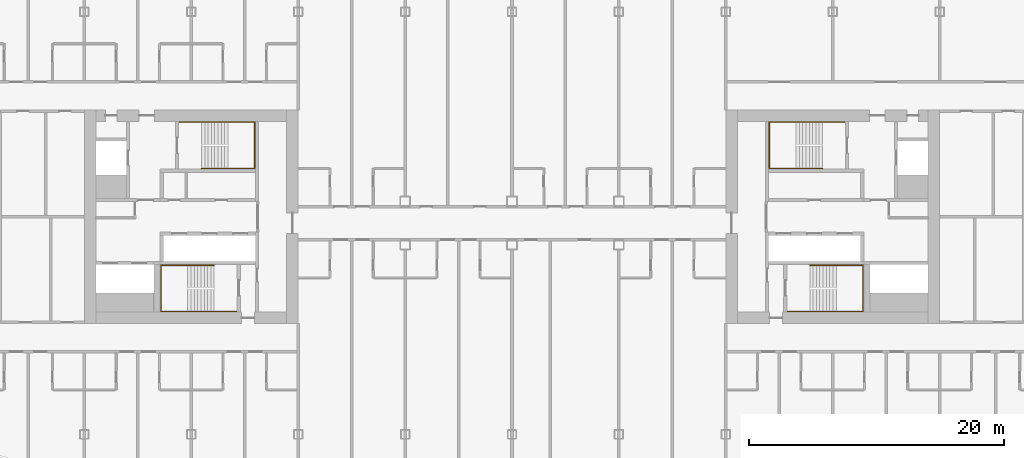
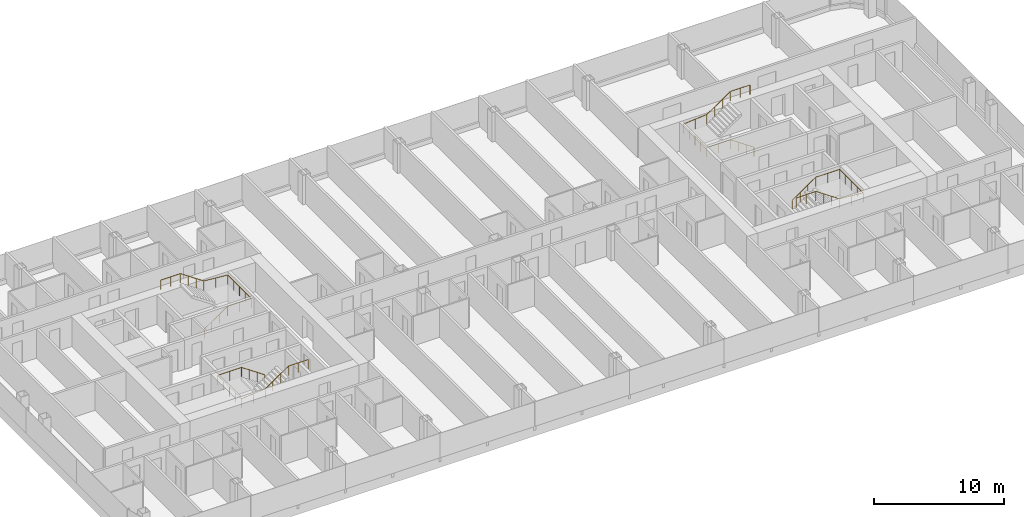
# One storey, part 27 of 27: 4 railings.
"""IFC4 building model written with IfcOpenShell, lengths in metres."""

from ifc_helpers import new_model, si_unit, direction, frame, origin, origin_2d, place, context, subcontext, project, spatial, circle, extrude, material, type_object, element, save


model = new_model("IFC4")

# Units and contexts
model_context = context("Model", 3, precision=1e-05, world=origin(), true_north=direction((0.0, 1.0)))
body_context = subcontext(model_context, "Body", "Model", "MODEL_VIEW")
ifc_project = project(units=[si_unit("LENGTHUNIT", "METRE"), si_unit("AREAUNIT", "SQUARE_METRE"), si_unit("VOLUMEUNIT", "CUBIC_METRE"), si_unit("PLANEANGLEUNIT", "RADIAN"), si_unit("MASSUNIT", "GRAM", prefix="KILO")], contexts=[model_context])

# Site, building, storey
site_placement = place(None, origin())
site = spatial("IfcSite", under=ifc_project, at=site_placement, CompositionType="ELEMENT")
building_placement = place(site_placement, origin())
building = spatial("IfcBuilding", under=site, at=building_placement, Name="Hakoniwa Tower and Hamabe Station Hall", CompositionType="ELEMENT")
storey_placement = place(building_placement, frame((0.0, 0.0, 166.199951171875)))
storey = spatial("IfcBuildingStorey", under=building, at=storey_placement, Name="L47", CompositionType="ELEMENT", Elevation=166.199951171875)

# Railings
ifc_material = material(Name="Stainless steel SUS304", Category="steel")
railing_type = type_object("IfcRailingType", Name="STAIR HANDRAIL 900", PredefinedType="HANDRAIL", material=ifc_material)
railing_1_placement = place(storey_placement, frame((-24.39990234375, 3.81005859375, 0.177734375)))
element("IfcRailing", 1, at=railing_1_placement, inside=storey, type_object=railing_type, Name="Handrail ST-1 L47 1", PredefinedType="HANDRAIL", context=body_context, shape_type="SweptSolid", body=[
    extrude(circle(Radius=0.02392578125, at=origin_2d()), frame((0.0, 0.0, 0.8759765625), z_axis=(0.825433201882, 0.0, 0.564499804456), x_axis=(0.0, 1.0, 0.0)), (0.0, 0.0, 1.0), 2.519775390625),
    extrude(circle(Radius=0.02392578125, at=origin_2d()), frame((2.079833984375, 0.0, 2.29833984375), z_axis=(1.0, 0.0, 0.0), x_axis=(0.0, 1.0, 0.0)), (0.0, 0.0, 1.0), 2.110107421875),
    extrude(circle(Radius=0.02392578125, at=origin_2d()), frame((4.18994140625, 0.0, 2.29833984375), z_axis=(0.0, 1.0, 0.0), x_axis=(-1.0, 0.0, 0.0)), (0.0, 0.0, 1.0), 3.6298828125),
    extrude(circle(Radius=0.02392578125, at=origin_2d()), frame((4.18994140625, 3.6298828125, 2.29833984375), z_axis=(-0.996471417081, 0.0, 0.083932800143), x_axis=(0.0, -1.0, 0.0)), (0.0, 0.0, 1.0), 2.11767578125),
    extrude(circle(Radius=0.02392578125, at=origin_2d()), frame((2.079833984375, 3.6298828125, 2.47607421875), z_axis=(-0.825478349766, 0.0, 0.564433781827), x_axis=(0.0, -1.0, 0.0)), (0.0, 0.0, 1.0), 2.51953125),
    extrude(circle(Radius=0.02392578125, at=origin_2d()), frame((0.0, 3.6298828125, 3.89794921875), z_axis=(-1.0, 0.0, 0.0), x_axis=(0.0, -1.0, 0.0)), (0.0, 0.0, 1.0), 1.739990234375),
    extrude(circle(Radius=0.02099609375, at=origin_2d()), origin(), (0.0, 0.0, 1.0), 0.851806640625),
    extrude(circle(Radius=0.02099609375, at=origin_2d()), frame((0.693359375, 0.0, 0.47412109375)), (0.0, 0.0, 1.0), 0.851806640625),
    extrude(circle(Radius=0.02099609375, at=origin_2d()), frame((1.386474609375, 0.0, 0.9482421875)), (0.0, 0.0, 1.0), 0.851806640625),
    extrude(circle(Radius=0.02099609375, at=origin_2d()), frame((2.079833984375, 0.0, 1.42236328125)), (0.0, 0.0, 1.0), 0.851806640625),
    extrude(circle(Radius=0.02099609375, at=origin_2d()), frame((3.134765625, 0.0, 1.42236328125)), (0.0, 0.0, 1.0), 0.851806640625),
    extrude(circle(Radius=0.02099609375, at=origin_2d()), frame((4.18994140625, 0.0, 1.42236328125)), (0.0, 0.0, 1.0), 0.851806640625),
    extrude(circle(Radius=0.02099609375, at=origin_2d()), frame((4.18994140625, 0.907470703125, 1.42236328125)), (0.0, 0.0, 1.0), 0.851806640625),
    extrude(circle(Radius=0.02099609375, at=origin_2d()), frame((4.18994140625, 1.81494140625, 1.42236328125)), (0.0, 0.0, 1.0), 0.851806640625),
    extrude(circle(Radius=0.02099609375, at=origin_2d()), frame((4.18994140625, 2.722412109375, 1.42236328125)), (0.0, 0.0, 1.0), 0.851806640625),
    extrude(circle(Radius=0.02099609375, at=origin_2d()), frame((4.18994140625, 3.6298828125, 1.42236328125)), (0.0, 0.0, 1.0), 0.851806640625),
    extrude(circle(Radius=0.02099609375, at=origin_2d()), frame((3.134765625, 3.6298828125, 1.51123046875)), (0.0, 0.0, 1.0), 0.851806640625),
    extrude(circle(Radius=0.02099609375, at=origin_2d()), frame((2.079833984375, 3.6298828125, 1.60009765625)), (0.0, 0.0, 1.0), 0.851806640625),
    extrude(circle(Radius=0.02099609375, at=origin_2d()), frame((1.386474609375, 3.6298828125, 2.07421875)), (0.0, 0.0, 1.0), 0.851806640625),
    extrude(circle(Radius=0.02099609375, at=origin_2d()), frame((0.693359375, 3.6298828125, 2.548095703125)), (0.0, 0.0, 1.0), 0.851806640625),
    extrude(circle(Radius=0.02099609375, at=origin_2d()), frame((0.0, 3.6298828125, 3.022216796875)), (0.0, 0.0, 1.0), 0.851806640625),
    extrude(circle(Radius=0.02099609375, at=origin_2d()), frame((-0.8701171875, 3.6298828125, 3.022216796875)), (0.0, 0.0, 1.0), 0.851806640625),
    extrude(circle(Radius=0.02099609375, at=origin_2d()), frame((-1.739990234375, 3.6298828125, 3.022216796875)), (0.0, 0.0, 1.0), 0.851806640625),
])
railing_2_placement = place(storey_placement, frame((-23.39990234375, -3.81005859375, 0.177734375)))
element("IfcRailing", 2, at=railing_2_placement, inside=storey, type_object=railing_type, Name="Handrail ST-2 L47 1", PredefinedType="HANDRAIL", context=body_context, shape_type="SweptSolid", body=[
    extrude(circle(Radius=0.02392578125, at=origin_2d()), frame((0.0, 0.0, 0.8759765625), z_axis=(-0.825464074169, 0.0, 0.564454659168), x_axis=(0.0, -1.0, 0.0)), (0.0, 0.0, 1.0), 2.519775390625),
    extrude(circle(Radius=0.02392578125, at=origin_2d()), frame((-2.080078125, 0.0, 2.29833984375), z_axis=(-1.0, 0.0, 0.0), x_axis=(0.0, -1.0, 0.0)), (0.0, 0.0, 1.0), 2.110107421875),
    extrude(circle(Radius=0.02392578125, at=origin_2d()), frame((-4.190185546875, 0.0, 2.29833984375), z_axis=(0.0, -1.0, 0.0), x_axis=(1.0, 0.0, 0.0)), (0.0, 0.0, 1.0), 3.6298828125),
    extrude(circle(Radius=0.02392578125, at=origin_2d()), frame((-4.190185546875, -3.6298828125, 2.29833984375), z_axis=(0.996471417081, 0.0, 0.083932800143), x_axis=(0.0, 1.0, 0.0)), (0.0, 0.0, 1.0), 2.11767578125),
    extrude(circle(Radius=0.02392578125, at=origin_2d()), frame((-2.080078125, -3.6298828125, 2.47607421875), z_axis=(0.82550921652, 0.0, 0.564388636881), x_axis=(0.0, 1.0, 0.0)), (0.0, 0.0, 1.0), 2.519775390625),
    extrude(circle(Radius=0.02392578125, at=origin_2d()), frame((0.0, -3.6298828125, 3.89794921875), z_axis=(1.0, 0.0, 0.0), x_axis=(0.0, 1.0, 0.0)), (0.0, 0.0, 1.0), 1.739990234375),
    extrude(circle(Radius=0.02099609375, at=origin_2d()), origin(), (0.0, 0.0, 1.0), 0.851806640625),
    extrude(circle(Radius=0.02099609375, at=origin_2d()), frame((-0.693359375, 0.0, 0.47412109375)), (0.0, 0.0, 1.0), 0.851806640625),
    extrude(circle(Radius=0.02099609375, at=origin_2d()), frame((-1.38671875, 0.0, 0.9482421875)), (0.0, 0.0, 1.0), 0.851806640625),
    extrude(circle(Radius=0.02099609375, at=origin_2d()), frame((-2.080078125, 0.0, 1.42236328125)), (0.0, 0.0, 1.0), 0.851806640625),
    extrude(circle(Radius=0.02099609375, at=origin_2d()), frame((-3.13525390625, 0.0, 1.42236328125)), (0.0, 0.0, 1.0), 0.851806640625),
    extrude(circle(Radius=0.02099609375, at=origin_2d()), frame((-4.190185546875, 0.0, 1.42236328125)), (0.0, 0.0, 1.0), 0.851806640625),
    extrude(circle(Radius=0.02099609375, at=origin_2d()), frame((-4.190185546875, -0.907470703125, 1.42236328125)), (0.0, 0.0, 1.0), 0.851806640625),
    extrude(circle(Radius=0.02099609375, at=origin_2d()), frame((-4.190185546875, -1.81494140625, 1.42236328125)), (0.0, 0.0, 1.0), 0.851806640625),
    extrude(circle(Radius=0.02099609375, at=origin_2d()), frame((-4.190185546875, -2.722412109375, 1.42236328125)), (0.0, 0.0, 1.0), 0.851806640625),
    extrude(circle(Radius=0.02099609375, at=origin_2d()), frame((-4.190185546875, -3.6298828125, 1.42236328125)), (0.0, 0.0, 1.0), 0.851806640625),
    extrude(circle(Radius=0.02099609375, at=origin_2d()), frame((-3.13525390625, -3.6298828125, 1.51123046875)), (0.0, 0.0, 1.0), 0.851806640625),
    extrude(circle(Radius=0.02099609375, at=origin_2d()), frame((-2.080078125, -3.6298828125, 1.60009765625)), (0.0, 0.0, 1.0), 0.851806640625),
    extrude(circle(Radius=0.02099609375, at=origin_2d()), frame((-1.38671875, -3.6298828125, 2.07421875)), (0.0, 0.0, 1.0), 0.851806640625),
    extrude(circle(Radius=0.02099609375, at=origin_2d()), frame((-0.693359375, -3.6298828125, 2.548095703125)), (0.0, 0.0, 1.0), 0.851806640625),
    extrude(circle(Radius=0.02099609375, at=origin_2d()), frame((0.0, -3.6298828125, 3.022216796875)), (0.0, 0.0, 1.0), 0.851806640625),
    extrude(circle(Radius=0.02099609375, at=origin_2d()), frame((0.8701171875, -3.6298828125, 3.022216796875)), (0.0, 0.0, 1.0), 0.851806640625),
    extrude(circle(Radius=0.02099609375, at=origin_2d()), frame((1.739990234375, -3.6298828125, 3.022216796875)), (0.0, 0.0, 1.0), 0.851806640625),
])
railing_3_placement = place(storey_placement, frame((24.39990234375, 3.81005859375, 0.177734375)))
element("IfcRailing", 3, at=railing_3_placement, inside=storey, type_object=railing_type, Name="Handrail ST-3 L47 1", PredefinedType="HANDRAIL", context=body_context, shape_type="SweptSolid", body=[
    extrude(circle(Radius=0.02392578125, at=origin_2d()), frame((0.0, 0.0, 0.8759765625), z_axis=(-0.825433201882, 0.0, 0.564499804456), x_axis=(0.0, -1.0, 0.0)), (0.0, 0.0, 1.0), 2.519775390625),
    extrude(circle(Radius=0.02392578125, at=origin_2d()), frame((-2.079833984375, 0.0, 2.29833984375), z_axis=(-1.0, 0.0, 0.0), x_axis=(0.0, -1.0, 0.0)), (0.0, 0.0, 1.0), 2.110107421875),
    extrude(circle(Radius=0.02392578125, at=origin_2d()), frame((-4.18994140625, 0.0, 2.29833984375), z_axis=(0.0, 1.0, 0.0), x_axis=(-1.0, 0.0, 0.0)), (0.0, 0.0, 1.0), 3.6298828125),
    extrude(circle(Radius=0.02392578125, at=origin_2d()), frame((-4.18994140625, 3.6298828125, 2.29833984375), z_axis=(0.996471417081, 0.0, 0.083932800143), x_axis=(0.0, 1.0, 0.0)), (0.0, 0.0, 1.0), 2.11767578125),
    extrude(circle(Radius=0.02392578125, at=origin_2d()), frame((-2.079833984375, 3.6298828125, 2.47607421875), z_axis=(0.825478349766, 0.0, 0.564433781827), x_axis=(0.0, 1.0, 0.0)), (0.0, 0.0, 1.0), 2.51953125),
    extrude(circle(Radius=0.02392578125, at=origin_2d()), frame((0.0, 3.6298828125, 3.89794921875), z_axis=(1.0, 0.0, 0.0), x_axis=(0.0, 1.0, 0.0)), (0.0, 0.0, 1.0), 1.739990234375),
    extrude(circle(Radius=0.02099609375, at=origin_2d()), origin(), (0.0, 0.0, 1.0), 0.851806640625),
    extrude(circle(Radius=0.02099609375, at=origin_2d()), frame((-0.693359375, 0.0, 0.47412109375)), (0.0, 0.0, 1.0), 0.851806640625),
    extrude(circle(Radius=0.02099609375, at=origin_2d()), frame((-1.386474609375, 0.0, 0.9482421875)), (0.0, 0.0, 1.0), 0.851806640625),
    extrude(circle(Radius=0.02099609375, at=origin_2d()), frame((-2.079833984375, 0.0, 1.42236328125)), (0.0, 0.0, 1.0), 0.851806640625),
    extrude(circle(Radius=0.02099609375, at=origin_2d()), frame((-3.134765625, 0.0, 1.42236328125)), (0.0, 0.0, 1.0), 0.851806640625),
    extrude(circle(Radius=0.02099609375, at=origin_2d()), frame((-4.18994140625, 0.0, 1.42236328125)), (0.0, 0.0, 1.0), 0.851806640625),
    extrude(circle(Radius=0.02099609375, at=origin_2d()), frame((-4.18994140625, 0.907470703125, 1.42236328125)), (0.0, 0.0, 1.0), 0.851806640625),
    extrude(circle(Radius=0.02099609375, at=origin_2d()), frame((-4.18994140625, 1.81494140625, 1.42236328125)), (0.0, 0.0, 1.0), 0.851806640625),
    extrude(circle(Radius=0.02099609375, at=origin_2d()), frame((-4.18994140625, 2.722412109375, 1.42236328125)), (0.0, 0.0, 1.0), 0.851806640625),
    extrude(circle(Radius=0.02099609375, at=origin_2d()), frame((-4.18994140625, 3.6298828125, 1.42236328125)), (0.0, 0.0, 1.0), 0.851806640625),
    extrude(circle(Radius=0.02099609375, at=origin_2d()), frame((-3.134765625, 3.6298828125, 1.51123046875)), (0.0, 0.0, 1.0), 0.851806640625),
    extrude(circle(Radius=0.02099609375, at=origin_2d()), frame((-2.079833984375, 3.6298828125, 1.60009765625)), (0.0, 0.0, 1.0), 0.851806640625),
    extrude(circle(Radius=0.02099609375, at=origin_2d()), frame((-1.386474609375, 3.6298828125, 2.07421875)), (0.0, 0.0, 1.0), 0.851806640625),
    extrude(circle(Radius=0.02099609375, at=origin_2d()), frame((-0.693359375, 3.6298828125, 2.548095703125)), (0.0, 0.0, 1.0), 0.851806640625),
    extrude(circle(Radius=0.02099609375, at=origin_2d()), frame((0.0, 3.6298828125, 3.022216796875)), (0.0, 0.0, 1.0), 0.851806640625),
    extrude(circle(Radius=0.02099609375, at=origin_2d()), frame((0.8701171875, 3.6298828125, 3.022216796875)), (0.0, 0.0, 1.0), 0.851806640625),
    extrude(circle(Radius=0.02099609375, at=origin_2d()), frame((1.739990234375, 3.6298828125, 3.022216796875)), (0.0, 0.0, 1.0), 0.851806640625),
])
railing_4_placement = place(storey_placement, frame((23.39990234375, -3.81005859375, 0.177734375)))
element("IfcRailing", 4, at=railing_4_placement, inside=storey, type_object=railing_type, Name="Handrail ST-4 L47 1", PredefinedType="HANDRAIL", context=body_context, shape_type="SweptSolid", body=[
    extrude(circle(Radius=0.02392578125, at=origin_2d()), frame((0.0, 0.0, 0.8759765625), z_axis=(0.825464074169, 0.0, 0.564454659168), x_axis=(0.0, 1.0, 0.0)), (0.0, 0.0, 1.0), 2.519775390625),
    extrude(circle(Radius=0.02392578125, at=origin_2d()), frame((2.080078125, 0.0, 2.29833984375), z_axis=(1.0, 0.0, 0.0), x_axis=(0.0, 1.0, 0.0)), (0.0, 0.0, 1.0), 2.110107421875),
    extrude(circle(Radius=0.02392578125, at=origin_2d()), frame((4.190185546875, 0.0, 2.29833984375), z_axis=(0.0, -1.0, 0.0), x_axis=(1.0, 0.0, 0.0)), (0.0, 0.0, 1.0), 3.6298828125),
    extrude(circle(Radius=0.02392578125, at=origin_2d()), frame((4.190185546875, -3.6298828125, 2.29833984375), z_axis=(-0.996471417081, 0.0, 0.083932800143), x_axis=(0.0, -1.0, 0.0)), (0.0, 0.0, 1.0), 2.11767578125),
    extrude(circle(Radius=0.02392578125, at=origin_2d()), frame((2.080078125, -3.6298828125, 2.47607421875), z_axis=(-0.82550921652, 0.0, 0.564388636881), x_axis=(0.0, -1.0, 0.0)), (0.0, 0.0, 1.0), 2.519775390625),
    extrude(circle(Radius=0.02392578125, at=origin_2d()), frame((0.0, -3.6298828125, 3.89794921875), z_axis=(-1.0, 0.0, 0.0), x_axis=(0.0, -1.0, 0.0)), (0.0, 0.0, 1.0), 1.739990234375),
    extrude(circle(Radius=0.02099609375, at=origin_2d()), origin(), (0.0, 0.0, 1.0), 0.851806640625),
    extrude(circle(Radius=0.02099609375, at=origin_2d()), frame((0.693359375, 0.0, 0.47412109375)), (0.0, 0.0, 1.0), 0.851806640625),
    extrude(circle(Radius=0.02099609375, at=origin_2d()), frame((1.38671875, 0.0, 0.9482421875)), (0.0, 0.0, 1.0), 0.851806640625),
    extrude(circle(Radius=0.02099609375, at=origin_2d()), frame((2.080078125, 0.0, 1.42236328125)), (0.0, 0.0, 1.0), 0.851806640625),
    extrude(circle(Radius=0.02099609375, at=origin_2d()), frame((3.13525390625, 0.0, 1.42236328125)), (0.0, 0.0, 1.0), 0.851806640625),
    extrude(circle(Radius=0.02099609375, at=origin_2d()), frame((4.190185546875, 0.0, 1.42236328125)), (0.0, 0.0, 1.0), 0.851806640625),
    extrude(circle(Radius=0.02099609375, at=origin_2d()), frame((4.190185546875, -0.907470703125, 1.42236328125)), (0.0, 0.0, 1.0), 0.851806640625),
    extrude(circle(Radius=0.02099609375, at=origin_2d()), frame((4.190185546875, -1.81494140625, 1.42236328125)), (0.0, 0.0, 1.0), 0.851806640625),
    extrude(circle(Radius=0.02099609375, at=origin_2d()), frame((4.190185546875, -2.722412109375, 1.42236328125)), (0.0, 0.0, 1.0), 0.851806640625),
    extrude(circle(Radius=0.02099609375, at=origin_2d()), frame((4.190185546875, -3.6298828125, 1.42236328125)), (0.0, 0.0, 1.0), 0.851806640625),
    extrude(circle(Radius=0.02099609375, at=origin_2d()), frame((3.13525390625, -3.6298828125, 1.51123046875)), (0.0, 0.0, 1.0), 0.851806640625),
    extrude(circle(Radius=0.02099609375, at=origin_2d()), frame((2.080078125, -3.6298828125, 1.60009765625)), (0.0, 0.0, 1.0), 0.851806640625),
    extrude(circle(Radius=0.02099609375, at=origin_2d()), frame((1.38671875, -3.6298828125, 2.07421875)), (0.0, 0.0, 1.0), 0.851806640625),
    extrude(circle(Radius=0.02099609375, at=origin_2d()), frame((0.693359375, -3.6298828125, 2.548095703125)), (0.0, 0.0, 1.0), 0.851806640625),
    extrude(circle(Radius=0.02099609375, at=origin_2d()), frame((0.0, -3.6298828125, 3.022216796875)), (0.0, 0.0, 1.0), 0.851806640625),
    extrude(circle(Radius=0.02099609375, at=origin_2d()), frame((-0.8701171875, -3.6298828125, 3.022216796875)), (0.0, 0.0, 1.0), 0.851806640625),
    extrude(circle(Radius=0.02099609375, at=origin_2d()), frame((-1.739990234375, -3.6298828125, 3.022216796875)), (0.0, 0.0, 1.0), 0.851806640625),
])

save(model, "model.ifc")
